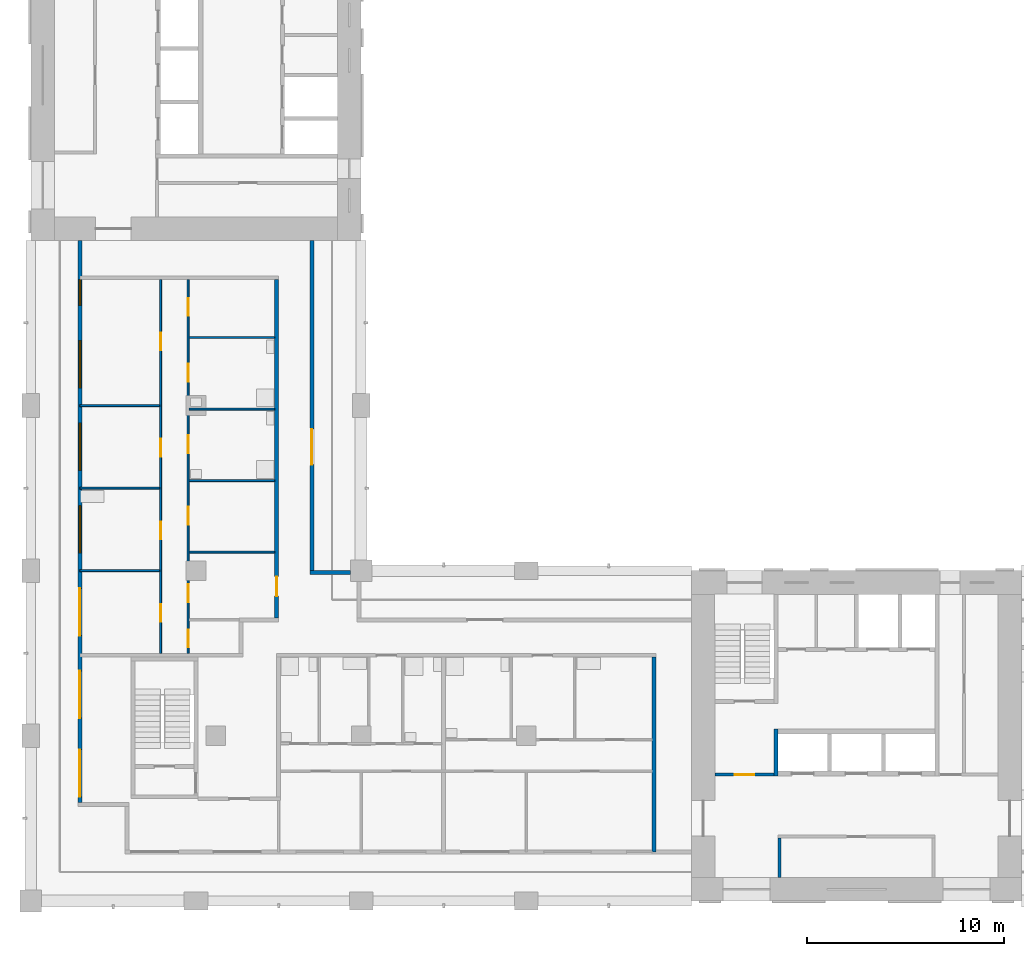
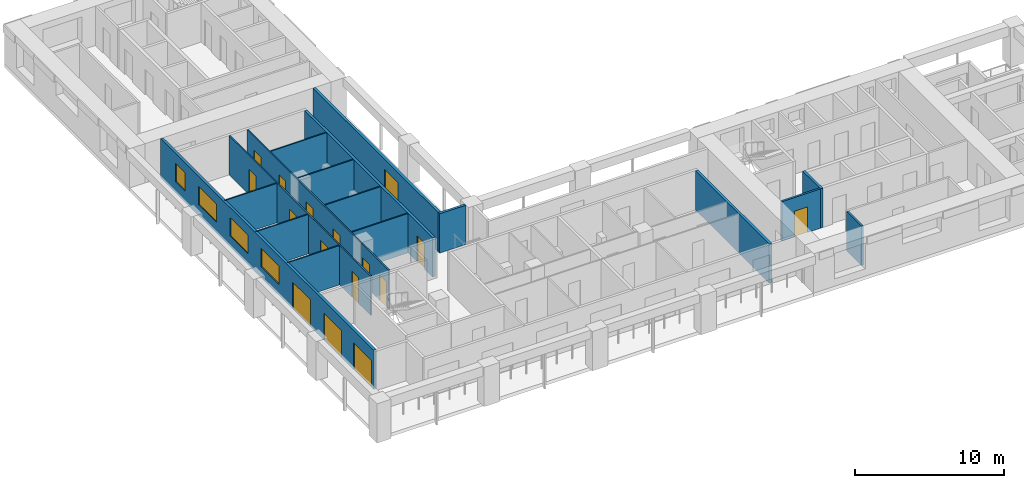
# One storey, part 3 of 10: 17 walls, 16 doors, 4 windows, 20 openings.
"""IFC4 building model written with IfcOpenShell, lengths in metres."""

from ifc_helpers import new_model, si_unit, direction, frame, frame_2d, origin, place, context, subcontext, project, spatial, rectangle, extrude, material, layer, layer_set, type_object, element, fill, save


model = new_model("IFC4")

# Units and contexts
model_context = context("Model", 3, precision=1e-05, world=origin(), true_north=direction((0.0, 1.0)))
body_context = subcontext(model_context, "Body", "Model", "MODEL_VIEW")
ifc_project = project(units=[si_unit("LENGTHUNIT", "METRE"), si_unit("AREAUNIT", "SQUARE_METRE"), si_unit("VOLUMEUNIT", "CUBIC_METRE"), si_unit("PLANEANGLEUNIT", "RADIAN"), si_unit("MASSUNIT", "GRAM", prefix="KILO")], contexts=[model_context])

# Site, building, storey
site_placement = place(None, origin())
site = spatial("IfcSite", under=ifc_project, at=site_placement, CompositionType="ELEMENT")
building_placement = place(site_placement, origin())
building = spatial("IfcBuilding", under=site, at=building_placement, Name="Vermilion Gate Residences", CompositionType="ELEMENT")
storey_placement = place(building_placement, frame((0.0, 0.0, 175.699951171875)))
storey = spatial("IfcBuildingStorey", under=building, at=storey_placement, Name="L45", CompositionType="ELEMENT", Elevation=175.699951171875)

# Wall
ifc_material_1 = material(Name="Masonry blockwork", Category="masonry")
ifc_layer_1 = layer(ifc_material_1, 0.14990234375)
ifc_layer_set_1 = layer_set([ifc_layer_1], Name="BLOCKWORK PARTITION 150 EI 120")
wall_type_1 = type_object("IfcWallType", Name="BLOCKWORK PARTITION 150 EI 120", PredefinedType="PARTITIONING", material=ifc_layer_set_1)
wall_1_placement = place(storey_placement, frame((46.47509765625, 9.60009765625, 0.0), z_axis=(0.0, 0.0, 1.0), x_axis=(0.0, 1.0, 0.0)))
element("IfcWall", 1, at=wall_1_placement, inside=storey, type_object=wall_type_1, Name="Core room partition A45-RW-W", PredefinedType="PARTITIONING", context=body_context, shape_type="SweptSolid", body=[
    extrude(rectangle(XDim=2.0, YDim=0.14990234375, at=frame_2d((1.0, 0.0))), origin(), (0.0, 0.0, 1.0), 3.219970703125),
])

# Wall, opening, door
wall_2_placement = place(storey_placement, frame((43.199951171875, 14.824951171875, 0.0), z_axis=(0.0, 0.0, 1.0), x_axis=(1.0, 0.0, 0.0)))
wall_2 = element("IfcWall", 2, at=wall_2_placement, inside=storey, type_object=wall_type_1, Name="Core room partition A45-VW-S", PredefinedType="PARTITIONING", context=body_context, shape_type="SweptSolid", body=[
    extrude(rectangle(XDim=3.0, YDim=0.14990234375, at=frame_2d((1.5, 0.0))), origin(), (0.0, 0.0, 1.0), 3.219970703125),
])
opening_1_placement = place(wall_2_placement, frame((1.0, 0.0, 0.0)))
opening_1 = element("IfcOpeningElement", 3, at=opening_1_placement, cuts=wall_2, Name="Opening DK45011", PredefinedType="OPENING", context=body_context, shape_type="SweptSolid", body=[
    extrude(rectangle(XDim=1.0, YDim=2.10009765625, at=frame_2d((0.5, 1.050048828125))), frame((0.0, 0.0849609375, 0.0), z_axis=(0.0, -1.0, 0.0), x_axis=(1.0, 0.0, 0.0)), (0.0, 0.0, 1.0), 0.169921875),
])
ifc_material_2 = material(Name="Steel", Category="steel")
door_type_1 = type_object("IfcDoorType", Name="FIRE DOOR FD60 1000 X 2100", OperationType="SINGLE_SWING_LEFT", PredefinedType="DOOR", material=ifc_material_2)
door_1_placement = place(opening_1_placement, frame((1.0, 0.0, 0.0), z_axis=(0.0, 0.0, 1.0), x_axis=(-1.0, 0.0, 0.0)))
door_1 = element("IfcDoor", 4, at=door_1_placement, inside=storey, type_object=door_type_1, Name="Stair vestibule door A45", OperationType="SINGLE_SWING_RIGHT", OverallHeight=2.10009765625, OverallWidth=1.0, PredefinedType="DOOR", context=body_context, shape_type="SweptSolid", body=[
    extrude(rectangle(XDim=1.0, YDim=2.10009765625, at=frame_2d((0.5, 1.050048828125))), frame((0.0, 0.02490234375, 0.0), z_axis=(0.0, -1.0, 0.0), x_axis=(1.0, 0.0, 0.0)), (0.0, 0.0, 1.0), 0.050048828125),
])
fill(opening_1, door_1)

# Wall, openings, doors, windows
ifc_material_3 = material(Name="Insulated steel stud wall with terracotta rainscreen", Category="masonry")
ifc_layer_2 = layer(ifc_material_3, 0.199951171875)
ifc_layer_set_2 = layer_set([ifc_layer_2], Name="EXTERNAL WALL 200 TERRACOTTA RAINSCREEN")
wall_type_2 = type_object("IfcWallType", Name="EXTERNAL WALL 200 TERRACOTTA RAINSCREEN", PredefinedType="SOLIDWALL", material=ifc_layer_set_2)
wall_3_placement = place(storey_placement, frame((10.89990234375, 42.0, 0.0), z_axis=(0.0, 0.0, 1.0), x_axis=(0.0, -1.0, 0.0)))
wall_3 = element("IfcWall", 5, at=wall_3_placement, inside=storey, type_object=wall_type_2, Name="External wall", PredefinedType="SOLIDWALL", context=body_context, shape_type="SweptSolid", body=[
    extrude(rectangle(XDim=28.60009765625, YDim=0.199951171875, at=frame_2d((14.300048828125, 0.0))), origin(), (0.0, 0.0, 1.0), 3.219970703125),
])
opening_2_placement = place(wall_3_placement, frame((25.89990234375, 0.0, 0.0)))
opening_2 = element("IfcOpeningElement", 6, at=opening_2_placement, cuts=wall_3, Name="Opening DE45001", PredefinedType="OPENING", context=body_context, shape_type="SweptSolid", body=[
    extrude(rectangle(XDim=2.39990234375, YDim=2.199951171875, at=frame_2d((1.199951171875, 1.10009765625))), frame((0.0, 0.10986328125, 0.0), z_axis=(0.0, -1.0, 0.0), x_axis=(1.0, 0.0, 0.0)), (0.0, 0.0, 1.0), 0.219970703125),
])
opening_3_placement = place(wall_3_placement, frame((21.89990234375, 0.0, 0.0)))
opening_3 = element("IfcOpeningElement", 7, at=opening_3_placement, cuts=wall_3, Name="Opening DE45002", PredefinedType="OPENING", context=body_context, shape_type="SweptSolid", body=[
    extrude(rectangle(XDim=2.39990234375, YDim=2.199951171875, at=frame_2d((1.199951171875, 1.10009765625))), frame((0.0, 0.10986328125, 0.0), z_axis=(0.0, -1.0, 0.0), x_axis=(1.0, 0.0, 0.0)), (0.0, 0.0, 1.0), 0.219970703125),
])
opening_4_placement = place(wall_3_placement, frame((17.699951171875, 0.0, 0.0)))
opening_4 = element("IfcOpeningElement", 8, at=opening_4_placement, cuts=wall_3, Name="Opening DE45003", PredefinedType="OPENING", context=body_context, shape_type="SweptSolid", body=[
    extrude(rectangle(XDim=2.39990234375, YDim=2.199951171875, at=frame_2d((1.199951171875, 1.10009765625))), frame((0.0, 0.10986328125, 0.0), z_axis=(0.0, -1.0, 0.0), x_axis=(1.0, 0.0, 0.0)), (0.0, 0.0, 1.0), 0.219970703125),
])
opening_5_placement = place(wall_3_placement, frame((13.5, 0.0, 0.89990234375)))
opening_5 = element("IfcOpeningElement", 9, at=opening_5_placement, cuts=wall_3, Name="Opening WE45004", PredefinedType="OPENING", context=body_context, shape_type="SweptSolid", body=[
    extrude(rectangle(XDim=2.39990234375, YDim=1.5, at=frame_2d((1.199951171875, 0.75))), frame((0.0, 0.10986328125, 0.0), z_axis=(0.0, -1.0, 0.0), x_axis=(1.0, 0.0, 0.0)), (0.0, 0.0, 1.0), 0.219970703125),
])
opening_6_placement = place(wall_3_placement, frame((9.300048828125, 0.0, 0.89990234375)))
opening_6 = element("IfcOpeningElement", 10, at=opening_6_placement, cuts=wall_3, Name="Opening WE45005", PredefinedType="OPENING", context=body_context, shape_type="SweptSolid", body=[
    extrude(rectangle(XDim=2.39990234375, YDim=1.5, at=frame_2d((1.199951171875, 0.75))), frame((0.0, 0.10986328125, 0.0), z_axis=(0.0, -1.0, 0.0), x_axis=(1.0, 0.0, 0.0)), (0.0, 0.0, 1.0), 0.219970703125),
])
opening_7_placement = place(wall_3_placement, frame((5.10009765625, 0.0, 0.89990234375)))
opening_7 = element("IfcOpeningElement", 11, at=opening_7_placement, cuts=wall_3, Name="Opening WE45006", PredefinedType="OPENING", context=body_context, shape_type="SweptSolid", body=[
    extrude(rectangle(XDim=2.39990234375, YDim=1.5, at=frame_2d((1.199951171875, 0.75))), frame((0.0, 0.10986328125, 0.0), z_axis=(0.0, -1.0, 0.0), x_axis=(1.0, 0.0, 0.0)), (0.0, 0.0, 1.0), 0.219970703125),
])
opening_8_placement = place(wall_3_placement, frame((2.0, 0.0, 0.89990234375)))
opening_8 = element("IfcOpeningElement", 12, at=opening_8_placement, cuts=wall_3, Name="Opening WE45007", PredefinedType="OPENING", context=body_context, shape_type="SweptSolid", body=[
    extrude(rectangle(XDim=1.300048828125, YDim=1.5, at=frame_2d((0.64990234375, 0.75))), frame((0.0, 0.10986328125, 0.0), z_axis=(0.0, -1.0, 0.0), x_axis=(1.0, 0.0, 0.0)), (0.0, 0.0, 1.0), 0.219970703125),
])
ifc_material_4 = material(Name="Aluminium and clear glass", Category="aluminium")
door_type_2 = type_object("IfcDoorType", Name="SLIDING GLAZED DOOR 2400 X 2200", OperationType="DOUBLE_DOOR_SLIDING", PredefinedType="DOOR", material=ifc_material_4)
door_2_placement = place(opening_2_placement, origin())
door_2 = element("IfcDoor", 13, at=door_2_placement, inside=storey, type_object=door_type_2, Name="Loggia sliding door", OperationType="DOUBLE_DOOR_SLIDING", OverallHeight=2.199951171875, OverallWidth=2.39990234375, PredefinedType="DOOR", context=body_context, shape_type="SweptSolid", body=[
    extrude(rectangle(XDim=2.39990234375, YDim=2.199951171875, at=frame_2d((1.199951171875, 1.10009765625))), frame((0.0, 0.02490234375, 0.0), z_axis=(0.0, -1.0, 0.0), x_axis=(1.0, 0.0, 0.0)), (0.0, 0.0, 1.0), 0.050048828125),
])
fill(opening_2, door_2)
door_3_placement = place(opening_3_placement, origin())
door_3 = element("IfcDoor", 14, at=door_3_placement, inside=storey, type_object=door_type_2, Name="Loggia sliding door", OperationType="DOUBLE_DOOR_SLIDING", OverallHeight=2.199951171875, OverallWidth=2.39990234375, PredefinedType="DOOR", context=body_context, shape_type="SweptSolid", body=[
    extrude(rectangle(XDim=2.39990234375, YDim=2.199951171875, at=frame_2d((1.199951171875, 1.10009765625))), frame((0.0, 0.02490234375, 0.0), z_axis=(0.0, -1.0, 0.0), x_axis=(1.0, 0.0, 0.0)), (0.0, 0.0, 1.0), 0.050048828125),
])
fill(opening_3, door_3)
door_4_placement = place(opening_4_placement, origin())
door_4 = element("IfcDoor", 15, at=door_4_placement, inside=storey, type_object=door_type_2, Name="Loggia sliding door", OperationType="DOUBLE_DOOR_SLIDING", OverallHeight=2.199951171875, OverallWidth=2.39990234375, PredefinedType="DOOR", context=body_context, shape_type="SweptSolid", body=[
    extrude(rectangle(XDim=2.39990234375, YDim=2.199951171875, at=frame_2d((1.199951171875, 1.10009765625))), frame((0.0, 0.02490234375, 0.0), z_axis=(0.0, -1.0, 0.0), x_axis=(1.0, 0.0, 0.0)), (0.0, 0.0, 1.0), 0.050048828125),
])
fill(opening_4, door_4)
ifc_material_5 = material(Name="Aluminium and clear glass", Category="aluminium")
window_type_1 = type_object("IfcWindowType", Name="WINDOW 1300 X 1500", PartitioningType="SINGLE_PANEL", PredefinedType="WINDOW", material=ifc_material_5)
window_1_placement = place(opening_8_placement, origin())
window_1 = element("IfcWindow", 16, at=window_1_placement, inside=storey, type_object=window_type_1, Name="Window", OverallHeight=1.5, OverallWidth=1.300048828125, PartitioningType="SINGLE_PANEL", PredefinedType="WINDOW", context=body_context, shape_type="SweptSolid", body=[
    extrude(rectangle(XDim=1.300048828125, YDim=1.5, at=frame_2d((0.64990234375, 0.75))), frame((0.0, 0.030029296875, 0.0), z_axis=(0.0, -1.0, 0.0), x_axis=(1.0, 0.0, 0.0)), (0.0, 0.0, 1.0), 0.06005859375),
])
fill(opening_8, window_1)
ifc_material_6 = material(Name="Aluminium and clear glass", Category="aluminium")
window_type_2 = type_object("IfcWindowType", Name="WINDOW 2400 X 1500", PartitioningType="SINGLE_PANEL", PredefinedType="WINDOW", material=ifc_material_6)
window_2_placement = place(opening_5_placement, origin())
window_2 = element("IfcWindow", 17, at=window_2_placement, inside=storey, type_object=window_type_2, Name="Window", OverallHeight=1.5, OverallWidth=2.39990234375, PartitioningType="SINGLE_PANEL", PredefinedType="WINDOW", context=body_context, shape_type="SweptSolid", body=[
    extrude(rectangle(XDim=2.39990234375, YDim=1.5, at=frame_2d((1.199951171875, 0.75))), frame((0.0, 0.030029296875, 0.0), z_axis=(0.0, -1.0, 0.0), x_axis=(1.0, 0.0, 0.0)), (0.0, 0.0, 1.0), 0.06005859375),
])
fill(opening_5, window_2)
window_3_placement = place(opening_6_placement, origin())
window_3 = element("IfcWindow", 18, at=window_3_placement, inside=storey, type_object=window_type_2, Name="Window", OverallHeight=1.5, OverallWidth=2.39990234375, PartitioningType="SINGLE_PANEL", PredefinedType="WINDOW", context=body_context, shape_type="SweptSolid", body=[
    extrude(rectangle(XDim=2.39990234375, YDim=1.5, at=frame_2d((1.199951171875, 0.75))), frame((0.0, 0.030029296875, 0.0), z_axis=(0.0, -1.0, 0.0), x_axis=(1.0, 0.0, 0.0)), (0.0, 0.0, 1.0), 0.06005859375),
])
fill(opening_6, window_3)
window_4_placement = place(opening_7_placement, origin())
window_4 = element("IfcWindow", 19, at=window_4_placement, inside=storey, type_object=window_type_2, Name="Window", OverallHeight=1.5, OverallWidth=2.39990234375, PartitioningType="SINGLE_PANEL", PredefinedType="WINDOW", context=body_context, shape_type="SweptSolid", body=[
    extrude(rectangle(XDim=2.39990234375, YDim=1.5, at=frame_2d((1.199951171875, 0.75))), frame((0.0, 0.030029296875, 0.0), z_axis=(0.0, -1.0, 0.0), x_axis=(1.0, 0.0, 0.0)), (0.0, 0.0, 1.0), 0.06005859375),
])
fill(opening_7, window_4)

# Wall
wall_4_placement = place(storey_placement, frame((24.64990234375, 25.10009765625, 0.0), z_axis=(0.0, 0.0, 1.0), x_axis=(-1.0, 0.0, 0.0)))
element("IfcWall", 20, at=wall_4_placement, inside=storey, type_object=wall_type_2, Name="External wall", PredefinedType="SOLIDWALL", context=body_context, shape_type="SweptSolid", body=[
    extrude(rectangle(XDim=2.0498046875, YDim=0.199951171875, at=frame_2d((1.02490234375, 0.0))), origin(), (0.0, 0.0, 1.0), 3.219970703125),
])

# Wall, opening, door
wall_5_placement = place(storey_placement, frame((22.699951171875, 25.199951171875, 0.0), z_axis=(0.0, 0.0, 1.0), x_axis=(0.0, 1.0, 0.0)))
wall_5 = element("IfcWall", 21, at=wall_5_placement, inside=storey, type_object=wall_type_2, Name="External wall", PredefinedType="SOLIDWALL", context=body_context, shape_type="SweptSolid", body=[
    extrude(rectangle(XDim=16.800048828125, YDim=0.199951171875, at=frame_2d((8.39990234375, 0.0))), origin(), (0.0, 0.0, 1.0), 3.219970703125),
])
opening_9_placement = place(wall_5_placement, frame((5.39990234375, 0.0, 0.0)))
opening_9 = element("IfcOpeningElement", 22, at=opening_9_placement, cuts=wall_5, Name="Opening DE45021", PredefinedType="OPENING", context=body_context, shape_type="SweptSolid", body=[
    extrude(rectangle(XDim=1.800048828125, YDim=2.39990234375, at=frame_2d((0.89990234375, 1.199951171875))), frame((0.0, 0.10986328125, 0.0), z_axis=(0.0, -1.0, 0.0), x_axis=(1.0, 0.0, 0.0)), (0.0, 0.0, 1.0), 0.219970703125),
])
ifc_material_7 = material(Name="Aluminium and clear glass", Category="aluminium")
door_type_3 = type_object("IfcDoorType", Name="GLAZED EXTERNAL DOOR 1800 X 2400", OperationType="DOUBLE_DOOR_SINGLE_SWING", PredefinedType="DOOR", material=ifc_material_7)
door_5_placement = place(opening_9_placement, frame((1.800048828125, 0.0, 0.0), z_axis=(0.0, 0.0, 1.0), x_axis=(-1.0, 0.0, 0.0)))
door_5 = element("IfcDoor", 23, at=door_5_placement, inside=storey, type_object=door_type_3, Name="Gallery door", OperationType="DOUBLE_DOOR_SINGLE_SWING", OverallHeight=2.39990234375, OverallWidth=1.800048828125, PredefinedType="DOOR", context=body_context, shape_type="SweptSolid", body=[
    extrude(rectangle(XDim=1.800048828125, YDim=2.39990234375, at=frame_2d((0.89990234375, 1.199951171875))), frame((0.0, 0.02490234375, 0.0), z_axis=(0.0, -1.0, 0.0), x_axis=(1.0, 0.0, 0.0)), (0.0, 0.0, 1.0), 0.050048828125),
])
fill(opening_9, door_5)

# Walls
ifc_material_8 = material(Name="Plasterboard on steel studs", Category="steel")
ifc_layer_3 = layer(ifc_material_8, 0.10009765625)
ifc_layer_set_3 = layer_set([ifc_layer_3], Name="PARTITION 100")
wall_type_3 = type_object("IfcWallType", Name="PARTITION 100", PredefinedType="PARTITIONING", material=ifc_layer_set_3)
wall_6_placement = place(storey_placement, frame((10.89990234375, 25.199951171875, 0.0), z_axis=(0.0, 0.0, 1.0), x_axis=(1.0, 0.0, 0.0)))
element("IfcWall", 24, at=wall_6_placement, inside=storey, type_object=wall_type_3, Name="Partition", PredefinedType="PARTITIONING", context=body_context, shape_type="SweptSolid", body=[
    extrude(rectangle(XDim=4.050048828125, YDim=0.10009765625, at=frame_2d((2.02490234375, 0.0))), origin(), (0.0, 0.0, 1.0), 3.219970703125),
])
wall_7_placement = place(storey_placement, frame((16.449951171875, 26.139892578125, 0.0), z_axis=(0.0, 0.0, 1.0), x_axis=(1.0, 0.0, 0.0)))
element("IfcWall", 25, at=wall_7_placement, inside=storey, type_object=wall_type_3, Name="Partition", PredefinedType="PARTITIONING", context=body_context, shape_type="SweptSolid", body=[
    extrude(rectangle(XDim=4.35009765625, YDim=0.10009765625, at=frame_2d((2.175048828125, 0.0))), origin(), (0.0, 0.0, 1.0), 3.219970703125),
])
wall_8_placement = place(storey_placement, frame((10.89990234375, 29.39990234375, 0.0), z_axis=(0.0, 0.0, 1.0), x_axis=(1.0, 0.0, 0.0)))
element("IfcWall", 26, at=wall_8_placement, inside=storey, type_object=wall_type_3, Name="Partition", PredefinedType="PARTITIONING", context=body_context, shape_type="SweptSolid", body=[
    extrude(rectangle(XDim=4.050048828125, YDim=0.10009765625, at=frame_2d((2.02490234375, 0.0))), origin(), (0.0, 0.0, 1.0), 3.219970703125),
])
for number, where, z_axis, x_axis, name in (
    (27, (16.449951171875, 29.780029296875, 0.0), (0.0, 0.0, 1.0), (1.0, 0.0, 0.0), "Partition"),
    (28, (16.449951171875, 33.419921875, 0.0), (0.0, 0.0, 1.0), (1.0, 0.0, 0.0), "Partition"),
):
    element("IfcWall", number, at=place(storey_placement, frame(where, z_axis=z_axis, x_axis=x_axis)), inside=storey, type_object=wall_type_3, Name=name, PredefinedType="PARTITIONING", context=body_context, shape_type="SweptSolid", body=[
        extrude(rectangle(XDim=4.35009765625, YDim=0.10009765625, at=frame_2d((2.175048828125, 0.0))), origin(), (0.0, 0.0, 1.0), 3.219970703125),
    ])
wall_9_placement = place(storey_placement, frame((10.89990234375, 33.60009765625, 0.0), z_axis=(0.0, 0.0, 1.0), x_axis=(1.0, 0.0, 0.0)))
element("IfcWall", 29, at=wall_9_placement, inside=storey, type_object=wall_type_3, Name="Partition", PredefinedType="PARTITIONING", context=body_context, shape_type="SweptSolid", body=[
    extrude(rectangle(XDim=4.050048828125, YDim=0.10009765625, at=frame_2d((2.02490234375, 0.0))), origin(), (0.0, 0.0, 1.0), 3.219970703125),
])
wall_10_placement = place(storey_placement, frame((16.449951171875, 37.06005859375, 0.0), z_axis=(0.0, 0.0, 1.0), x_axis=(1.0, 0.0, 0.0)))
element("IfcWall", 30, at=wall_10_placement, inside=storey, type_object=wall_type_3, Name="Partition", PredefinedType="PARTITIONING", context=body_context, shape_type="SweptSolid", body=[
    extrude(rectangle(XDim=4.35009765625, YDim=0.10009765625, at=frame_2d((2.175048828125, 0.0))), origin(), (0.0, 0.0, 1.0), 3.219970703125),
])

# Wall, openings, doors
wall_11_placement = place(storey_placement, frame((15.0, 21.0, 0.0), z_axis=(0.0, 0.0, 1.0), x_axis=(0.0, 1.0, 0.0)))
wall_11 = element("IfcWall", 31, at=wall_11_placement, inside=storey, type_object=wall_type_3, Name="Partition", PredefinedType="PARTITIONING", context=body_context, shape_type="SweptSolid", body=[
    extrude(rectangle(XDim=19.0, YDim=0.10009765625, at=frame_2d((9.5, 0.0))), origin(), (0.0, 0.0, 1.0), 3.219970703125),
])
opening_10_placement = place(wall_11_placement, frame((1.60009765625, 0.0, 0.0)))
opening_10 = element("IfcOpeningElement", 32, at=opening_10_placement, cuts=wall_11, Name="Opening DA43015", PredefinedType="OPENING", context=body_context, shape_type="SweptSolid", body=[
    extrude(rectangle(XDim=0.89990234375, YDim=2.10009765625, at=frame_2d((0.449951171875, 1.050048828125))), frame((0.0, 0.06005859375, 0.0), z_axis=(0.0, -1.0, 0.0), x_axis=(1.0, 0.0, 0.0)), (0.0, 0.0, 1.0), 0.1201171875),
])
opening_11_placement = place(wall_11_placement, frame((5.800048828125, 0.0, 0.0)))
opening_11 = element("IfcOpeningElement", 33, at=opening_11_placement, cuts=wall_11, Name="Opening DA43016", PredefinedType="OPENING", context=body_context, shape_type="SweptSolid", body=[
    extrude(rectangle(XDim=0.89990234375, YDim=2.10009765625, at=frame_2d((0.449951171875, 1.050048828125))), frame((0.0, 0.06005859375, 0.0), z_axis=(0.0, -1.0, 0.0), x_axis=(1.0, 0.0, 0.0)), (0.0, 0.0, 1.0), 0.1201171875),
])
opening_12_placement = place(wall_11_placement, frame((10.0, 0.0, 0.0)))
opening_12 = element("IfcOpeningElement", 34, at=opening_12_placement, cuts=wall_11, Name="Opening DA43017", PredefinedType="OPENING", context=body_context, shape_type="SweptSolid", body=[
    extrude(rectangle(XDim=0.89990234375, YDim=2.10009765625, at=frame_2d((0.449951171875, 1.050048828125))), frame((0.0, 0.06005859375, 0.0), z_axis=(0.0, -1.0, 0.0), x_axis=(1.0, 0.0, 0.0)), (0.0, 0.0, 1.0), 0.1201171875),
])
opening_13_placement = place(wall_11_placement, frame((15.39990234375, 0.0, 0.0)))
opening_13 = element("IfcOpeningElement", 35, at=opening_13_placement, cuts=wall_11, Name="Opening DA43018", PredefinedType="OPENING", context=body_context, shape_type="SweptSolid", body=[
    extrude(rectangle(XDim=0.89990234375, YDim=2.10009765625, at=frame_2d((0.449951171875, 1.050048828125))), frame((0.0, 0.06005859375, 0.0), z_axis=(0.0, -1.0, 0.0), x_axis=(1.0, 0.0, 0.0)), (0.0, 0.0, 1.0), 0.1201171875),
])
ifc_material_9 = material(Name="Timber", Category="wood")
door_type_4 = type_object("IfcDoorType", Name="INTERIOR DOOR 900 X 2100", OperationType="SINGLE_SWING_LEFT", PredefinedType="DOOR", material=ifc_material_9)
door_6_placement = place(opening_10_placement, origin())
door_6 = element("IfcDoor", 36, at=door_6_placement, inside=storey, type_object=door_type_4, Name="Interior door", OperationType="SINGLE_SWING_LEFT", OverallHeight=2.10009765625, OverallWidth=0.89990234375, PredefinedType="DOOR", context=body_context, shape_type="SweptSolid", body=[
    extrude(rectangle(XDim=0.89990234375, YDim=2.10009765625, at=frame_2d((0.449951171875, 1.050048828125))), frame((0.0, 0.02490234375, 0.0), z_axis=(0.0, -1.0, 0.0), x_axis=(1.0, 0.0, 0.0)), (0.0, 0.0, 1.0), 0.050048828125),
])
fill(opening_10, door_6)
door_7_placement = place(opening_11_placement, origin())
door_7 = element("IfcDoor", 37, at=door_7_placement, inside=storey, type_object=door_type_4, Name="Interior door", OperationType="SINGLE_SWING_LEFT", OverallHeight=2.10009765625, OverallWidth=0.89990234375, PredefinedType="DOOR", context=body_context, shape_type="SweptSolid", body=[
    extrude(rectangle(XDim=0.89990234375, YDim=2.10009765625, at=frame_2d((0.449951171875, 1.050048828125))), frame((0.0, 0.02490234375, 0.0), z_axis=(0.0, -1.0, 0.0), x_axis=(1.0, 0.0, 0.0)), (0.0, 0.0, 1.0), 0.050048828125),
])
fill(opening_11, door_7)
door_8_placement = place(opening_12_placement, origin())
door_8 = element("IfcDoor", 38, at=door_8_placement, inside=storey, type_object=door_type_4, Name="Interior door", OperationType="SINGLE_SWING_LEFT", OverallHeight=2.10009765625, OverallWidth=0.89990234375, PredefinedType="DOOR", context=body_context, shape_type="SweptSolid", body=[
    extrude(rectangle(XDim=0.89990234375, YDim=2.10009765625, at=frame_2d((0.449951171875, 1.050048828125))), frame((0.0, 0.02490234375, 0.0), z_axis=(0.0, -1.0, 0.0), x_axis=(1.0, 0.0, 0.0)), (0.0, 0.0, 1.0), 0.050048828125),
])
fill(opening_12, door_8)
door_9_placement = place(opening_13_placement, origin())
door_9 = element("IfcDoor", 39, at=door_9_placement, inside=storey, type_object=door_type_4, Name="Interior door", OperationType="SINGLE_SWING_RIGHT", OverallHeight=2.10009765625, OverallWidth=0.89990234375, PredefinedType="DOOR", context=body_context, shape_type="SweptSolid", body=[
    extrude(rectangle(XDim=0.89990234375, YDim=2.10009765625, at=frame_2d((0.449951171875, 1.050048828125))), frame((0.0, 0.02490234375, 0.0), z_axis=(0.0, -1.0, 0.0), x_axis=(1.0, 0.0, 0.0)), (0.0, 0.0, 1.0), 0.050048828125),
])
fill(opening_13, door_9)

wall_12_placement = place(storey_placement, frame((16.39990234375, 21.0, 0.0), z_axis=(0.0, 0.0, 1.0), x_axis=(0.0, 1.0, 0.0)))
wall_12 = element("IfcWall", 40, at=wall_12_placement, inside=storey, type_object=wall_type_3, Name="Partition", PredefinedType="PARTITIONING", context=body_context, shape_type="SweptSolid", body=[
    extrude(rectangle(XDim=19.0, YDim=0.10009765625, at=frame_2d((9.5, 0.0))), origin(), (0.0, 0.0, 1.0), 3.219970703125),
])
opening_14_placement = place(wall_12_placement, frame((2.60009765625, 0.0, 0.0)))
opening_14 = element("IfcOpeningElement", 41, at=opening_14_placement, cuts=wall_12, Name="Opening DA43019", PredefinedType="OPENING", context=body_context, shape_type="SweptSolid", body=[
    extrude(rectangle(XDim=0.89990234375, YDim=2.10009765625, at=frame_2d((0.449951171875, 1.050048828125))), frame((0.0, 0.06005859375, 0.0), z_axis=(0.0, -1.0, 0.0), x_axis=(1.0, 0.0, 0.0)), (0.0, 0.0, 1.0), 0.1201171875),
])
opening_15_placement = place(wall_12_placement, frame((0.300048828125, 0.0, 0.0)))
opening_15 = element("IfcOpeningElement", 42, at=opening_15_placement, cuts=wall_12, Name="Opening DA43020", PredefinedType="OPENING", context=body_context, shape_type="SweptSolid", body=[
    extrude(rectangle(XDim=0.89990234375, YDim=2.10009765625, at=frame_2d((0.449951171875, 1.050048828125))), frame((0.0, 0.06005859375, 0.0), z_axis=(0.0, -1.0, 0.0), x_axis=(1.0, 0.0, 0.0)), (0.0, 0.0, 1.0), 0.1201171875),
])
opening_16_placement = place(wall_12_placement, frame((6.5400390625, 0.0, 0.0)))
opening_16 = element("IfcOpeningElement", 43, at=opening_16_placement, cuts=wall_12, Name="Opening DA43021", PredefinedType="OPENING", context=body_context, shape_type="SweptSolid", body=[
    extrude(rectangle(XDim=0.89990234375, YDim=2.10009765625, at=frame_2d((0.449951171875, 1.050048828125))), frame((0.0, 0.06005859375, 0.0), z_axis=(0.0, -1.0, 0.0), x_axis=(1.0, 0.0, 0.0)), (0.0, 0.0, 1.0), 0.1201171875),
])
opening_17_placement = place(wall_12_placement, frame((10.179931640625, 0.0, 0.0)))
opening_17 = element("IfcOpeningElement", 44, at=opening_17_placement, cuts=wall_12, Name="Opening DA43022", PredefinedType="OPENING", context=body_context, shape_type="SweptSolid", body=[
    extrude(rectangle(XDim=0.89990234375, YDim=2.10009765625, at=frame_2d((0.449951171875, 1.050048828125))), frame((0.0, 0.06005859375, 0.0), z_axis=(0.0, -1.0, 0.0), x_axis=(1.0, 0.0, 0.0)), (0.0, 0.0, 1.0), 0.1201171875),
])
opening_18_placement = place(wall_12_placement, frame((13.820068359375, 0.0, 0.0)))
opening_18 = element("IfcOpeningElement", 45, at=opening_18_placement, cuts=wall_12, Name="Opening DA43023", PredefinedType="OPENING", context=body_context, shape_type="SweptSolid", body=[
    extrude(rectangle(XDim=0.89990234375, YDim=2.10009765625, at=frame_2d((0.449951171875, 1.050048828125))), frame((0.0, 0.06005859375, 0.0), z_axis=(0.0, -1.0, 0.0), x_axis=(1.0, 0.0, 0.0)), (0.0, 0.0, 1.0), 0.1201171875),
])
opening_19_placement = place(wall_12_placement, frame((17.159912109375, 0.0, 0.0)))
opening_19 = element("IfcOpeningElement", 46, at=opening_19_placement, cuts=wall_12, Name="Opening DA43024", PredefinedType="OPENING", context=body_context, shape_type="SweptSolid", body=[
    extrude(rectangle(XDim=0.89990234375, YDim=2.10009765625, at=frame_2d((0.449951171875, 1.050048828125))), frame((0.0, 0.06005859375, 0.0), z_axis=(0.0, -1.0, 0.0), x_axis=(1.0, 0.0, 0.0)), (0.0, 0.0, 1.0), 0.1201171875),
])
door_10_placement = place(opening_14_placement, frame((0.89990234375, 0.0, 0.0), z_axis=(0.0, 0.0, 1.0), x_axis=(-1.0, 0.0, 0.0)))
door_10 = element("IfcDoor", 47, at=door_10_placement, inside=storey, type_object=door_type_4, Name="Interior door", OperationType="SINGLE_SWING_LEFT", OverallHeight=2.10009765625, OverallWidth=0.89990234375, PredefinedType="DOOR", context=body_context, shape_type="SweptSolid", body=[
    extrude(rectangle(XDim=0.89990234375, YDim=2.10009765625, at=frame_2d((0.449951171875, 1.050048828125))), frame((0.0, 0.02490234375, 0.0), z_axis=(0.0, -1.0, 0.0), x_axis=(1.0, 0.0, 0.0)), (0.0, 0.0, 1.0), 0.050048828125),
])
fill(opening_14, door_10)
door_11_placement = place(opening_15_placement, frame((0.89990234375, 0.0, 0.0), z_axis=(0.0, 0.0, 1.0), x_axis=(-1.0, 0.0, 0.0)))
door_11 = element("IfcDoor", 48, at=door_11_placement, inside=storey, type_object=door_type_4, Name="Interior door", OperationType="SINGLE_SWING_RIGHT", OverallHeight=2.10009765625, OverallWidth=0.89990234375, PredefinedType="DOOR", context=body_context, shape_type="SweptSolid", body=[
    extrude(rectangle(XDim=0.89990234375, YDim=2.10009765625, at=frame_2d((0.449951171875, 1.050048828125))), frame((0.0, 0.02490234375, 0.0), z_axis=(0.0, -1.0, 0.0), x_axis=(1.0, 0.0, 0.0)), (0.0, 0.0, 1.0), 0.050048828125),
])
fill(opening_15, door_11)
door_12_placement = place(opening_16_placement, frame((0.89990234375, 0.0, 0.0), z_axis=(0.0, 0.0, 1.0), x_axis=(-1.0, 0.0, 0.0)))
door_12 = element("IfcDoor", 49, at=door_12_placement, inside=storey, type_object=door_type_4, Name="Interior door", OperationType="SINGLE_SWING_LEFT", OverallHeight=2.10009765625, OverallWidth=0.89990234375, PredefinedType="DOOR", context=body_context, shape_type="SweptSolid", body=[
    extrude(rectangle(XDim=0.89990234375, YDim=2.10009765625, at=frame_2d((0.449951171875, 1.050048828125))), frame((0.0, 0.02490234375, 0.0), z_axis=(0.0, -1.0, 0.0), x_axis=(1.0, 0.0, 0.0)), (0.0, 0.0, 1.0), 0.050048828125),
])
fill(opening_16, door_12)
door_13_placement = place(opening_17_placement, frame((0.89990234375, 0.0, 0.0), z_axis=(0.0, 0.0, 1.0), x_axis=(-1.0, 0.0, 0.0)))
door_13 = element("IfcDoor", 50, at=door_13_placement, inside=storey, type_object=door_type_4, Name="Interior door", OperationType="SINGLE_SWING_RIGHT", OverallHeight=2.10009765625, OverallWidth=0.89990234375, PredefinedType="DOOR", context=body_context, shape_type="SweptSolid", body=[
    extrude(rectangle(XDim=0.89990234375, YDim=2.10009765625, at=frame_2d((0.449951171875, 1.050048828125))), frame((0.0, 0.02490234375, 0.0), z_axis=(0.0, -1.0, 0.0), x_axis=(1.0, 0.0, 0.0)), (0.0, 0.0, 1.0), 0.050048828125),
])
fill(opening_17, door_13)
door_14_placement = place(opening_18_placement, frame((0.89990234375, 0.0, 0.0), z_axis=(0.0, 0.0, 1.0), x_axis=(-1.0, 0.0, 0.0)))
door_14 = element("IfcDoor", 51, at=door_14_placement, inside=storey, type_object=door_type_4, Name="Interior door", OperationType="SINGLE_SWING_RIGHT", OverallHeight=2.10009765625, OverallWidth=0.89990234375, PredefinedType="DOOR", context=body_context, shape_type="SweptSolid", body=[
    extrude(rectangle(XDim=0.89990234375, YDim=2.10009765625, at=frame_2d((0.449951171875, 1.050048828125))), frame((0.0, 0.02490234375, 0.0), z_axis=(0.0, -1.0, 0.0), x_axis=(1.0, 0.0, 0.0)), (0.0, 0.0, 1.0), 0.050048828125),
])
fill(opening_18, door_14)
door_15_placement = place(opening_19_placement, frame((0.89990234375, 0.0, 0.0), z_axis=(0.0, 0.0, 1.0), x_axis=(-1.0, 0.0, 0.0)))
door_15 = element("IfcDoor", 52, at=door_15_placement, inside=storey, type_object=door_type_4, Name="Interior door", OperationType="SINGLE_SWING_LEFT", OverallHeight=2.10009765625, OverallWidth=0.89990234375, PredefinedType="DOOR", context=body_context, shape_type="SweptSolid", body=[
    extrude(rectangle(XDim=0.89990234375, YDim=2.10009765625, at=frame_2d((0.449951171875, 1.050048828125))), frame((0.0, 0.02490234375, 0.0), z_axis=(0.0, -1.0, 0.0), x_axis=(1.0, 0.0, 0.0)), (0.0, 0.0, 1.0), 0.050048828125),
])
fill(opening_19, door_15)

# Wall, opening, door
ifc_material_10 = material(Name="Fire-rated plasterboard on steel studs", Category="steel")
ifc_layer_4 = layer(ifc_material_10, 0.199951171875)
ifc_layer_set_4 = layer_set([ifc_layer_4], Name="PARTY WALL 200 EI 120")
wall_type_4 = type_object("IfcWallType", Name="PARTY WALL 200 EI 120", PredefinedType="PARTITIONING", material=ifc_layer_set_4)
wall_13_placement = place(storey_placement, frame((20.89990234375, 22.800048828125, 0.0), z_axis=(0.0, 0.0, 1.0), x_axis=(0.0, 1.0, 0.0)))
wall_13 = element("IfcWall", 53, at=wall_13_placement, inside=storey, type_object=wall_type_4, Name="Party and corridor wall", PredefinedType="PARTITIONING", context=body_context, shape_type="SweptSolid", body=[
    extrude(rectangle(XDim=17.199951171875, YDim=0.199951171875, at=frame_2d((8.60009765625, 0.0))), origin(), (0.0, 0.0, 1.0), 3.219970703125),
])
opening_20_placement = place(wall_13_placement, frame((1.10009765625, 0.0, 0.0)))
opening_20 = element("IfcOpeningElement", 54, at=opening_20_placement, cuts=wall_13, Name="Opening DA43025", PredefinedType="OPENING", context=body_context, shape_type="SweptSolid", body=[
    extrude(rectangle(XDim=1.0, YDim=2.10009765625, at=frame_2d((0.5, 1.050048828125))), frame((0.0, 0.10986328125, 0.0), z_axis=(0.0, -1.0, 0.0), x_axis=(1.0, 0.0, 0.0)), (0.0, 0.0, 1.0), 0.219970703125),
])
ifc_material_11 = material(Name="Steel", Category="steel")
door_type_5 = type_object("IfcDoorType", Name="ENTRANCE DOOR 1000 X 2100 FD30", OperationType="SINGLE_SWING_LEFT", PredefinedType="DOOR", material=ifc_material_11)
door_16_placement = place(opening_20_placement, origin())
door_16 = element("IfcDoor", 55, at=door_16_placement, inside=storey, type_object=door_type_5, Name="Entrance door", OperationType="SINGLE_SWING_LEFT", OverallHeight=2.10009765625, OverallWidth=1.0, PredefinedType="DOOR", context=body_context, shape_type="SweptSolid", body=[
    extrude(rectangle(XDim=1.0, YDim=2.10009765625, at=frame_2d((0.5, 1.050048828125))), frame((0.0, 0.02490234375, 0.0), z_axis=(0.0, -1.0, 0.0), x_axis=(1.0, 0.0, 0.0)), (0.0, 0.0, 1.0), 0.050048828125),
])
fill(opening_20, door_16)

# Walls
wall_14_placement = place(storey_placement, frame((40.10009765625, 10.89990234375, 0.0), z_axis=(0.0, 0.0, 1.0), x_axis=(0.0, 1.0, 0.0)))
element("IfcWall", 56, at=wall_14_placement, inside=storey, type_object=wall_type_4, Name="Party and corridor wall", PredefinedType="PARTITIONING", context=body_context, shape_type="SweptSolid", body=[
    extrude(rectangle(XDim=9.900146484375, YDim=0.199951171875, at=frame_2d((4.9501953125, 0.0))), origin(), (0.0, 0.0, 1.0), 3.219970703125),
])
ifc_material_12 = material(Name="Concrete C60", Category="concrete")
ifc_layer_5 = layer(ifc_material_12, 0.199951171875)
ifc_layer_set_5 = layer_set([ifc_layer_5], Name="RC CORE INTERNAL WALL 200 C60")
wall_type_5 = type_object("IfcWallType", Name="RC CORE INTERNAL WALL 200 C60", PredefinedType="SHEAR", material=ifc_layer_set_5)
wall_15_placement = place(storey_placement, frame((46.300048828125, 14.75, 0.0), z_axis=(0.0, 0.0, 1.0), x_axis=(0.0, 1.0, 0.0)))
element("IfcWall", 57, at=wall_15_placement, inside=storey, type_object=wall_type_5, Name="Core internal wall A45-WDIV1", PredefinedType="SHEAR", context=body_context, shape_type="SweptSolid", body=[
    extrude(rectangle(XDim=2.39990234375, YDim=0.199951171875, at=frame_2d((1.199951171875, 0.0))), origin(), (0.0, 0.0, 1.0), 3.219970703125),
])

save(model, "model.ifc")
